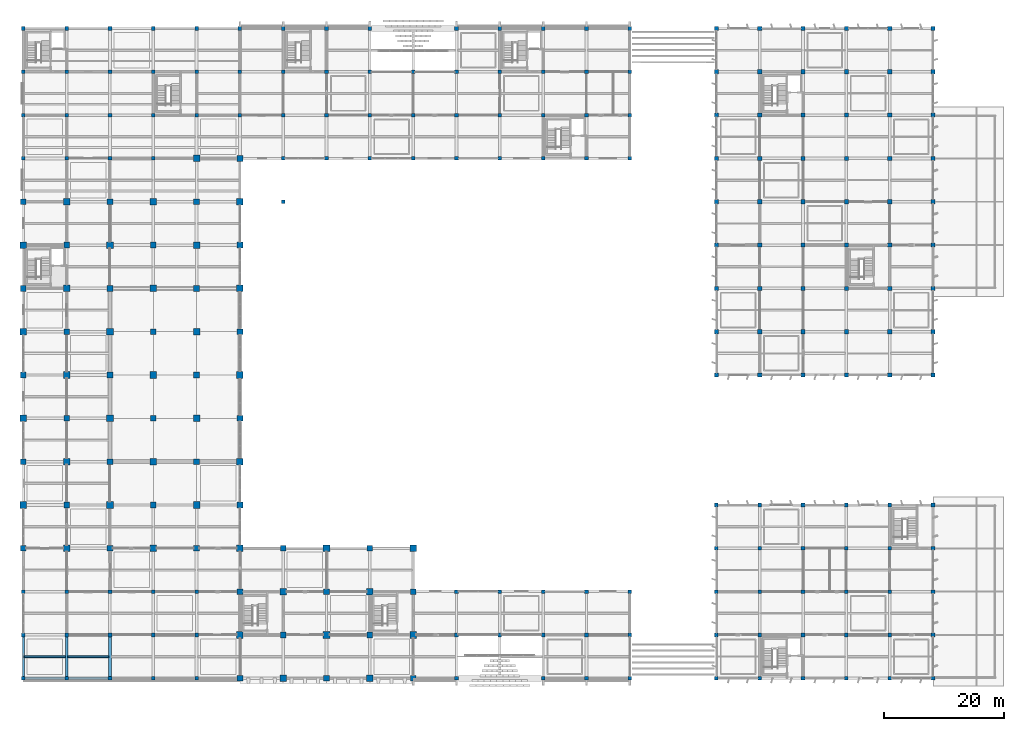
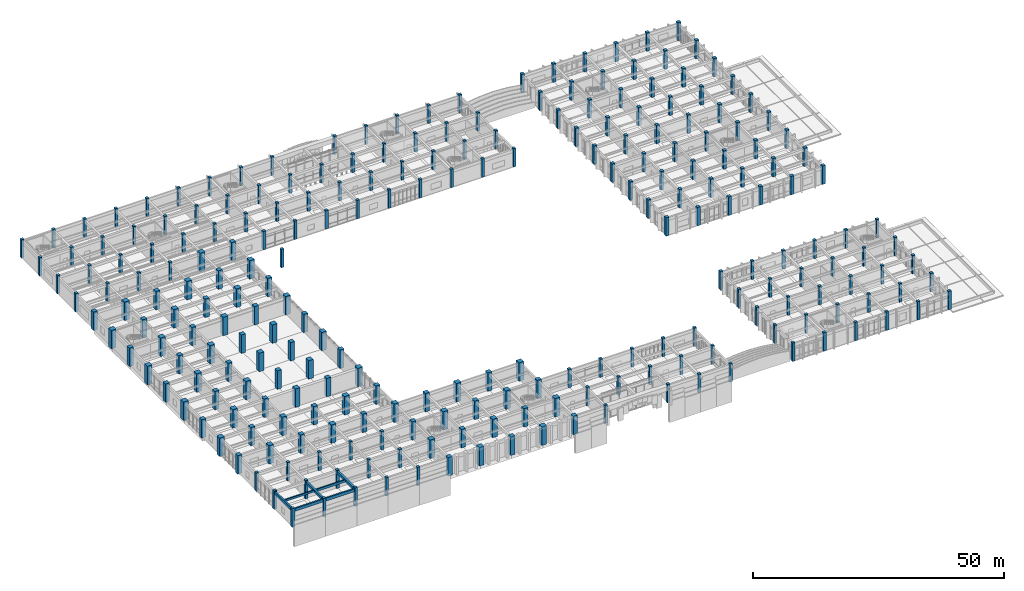
# One storey, part 1 of 81: 246 columns, 7 beams.
"""IFC4 building model written with IfcOpenShell, lengths in metres."""

from ifc_helpers import new_model, si_unit, direction, frame, origin, origin_2d, place, context, subcontext, project, spatial, rectangle, extrude, material, material_profile, profile_set, type_object, element, save


model = new_model("IFC4")

# Units and contexts
model_context = context("Model", 3, precision=1e-05, world=origin(), true_north=direction((0.0, 1.0)))
body_context = subcontext(model_context, "Body", "Model", "MODEL_VIEW")
ifc_project = project(units=[si_unit("LENGTHUNIT", "METRE"), si_unit("AREAUNIT", "SQUARE_METRE"), si_unit("VOLUMEUNIT", "CUBIC_METRE"), si_unit("PLANEANGLEUNIT", "RADIAN"), si_unit("MASSUNIT", "GRAM", prefix="KILO")], contexts=[model_context])

# Site, building, storey
site_placement = place(None, origin())
site = spatial("IfcSite", under=ifc_project, at=site_placement, CompositionType="ELEMENT")
building_placement = place(site_placement, origin())
building = spatial("IfcBuilding", under=site, at=building_placement, Name="Kavelor Marine Aquarium", CompositionType="ELEMENT")
storey_placement = place(building_placement, frame((0.0, 0.0, 4.679931640625)))
storey = spatial("IfcBuildingStorey", under=building, at=storey_placement, Name="L01", CompositionType="ELEMENT", Elevation=4.679931640625)

# Columns
ifc_material_1 = material(Name="Concrete C45/55", Category="concrete")
ifc_material_profile_1 = material_profile(ifc_material_1, rectangle(XDim=1.10009765625, YDim=1.10009765625, at=origin_2d()), Name="RC-COL 1100x1100")
ifc_profile_set_1 = profile_set([ifc_material_profile_1], Name="Concrete C45/55")
column_type_1 = type_object("IfcColumnType", Name="COL-C1", PredefinedType="COLUMN", material=ifc_profile_set_1)
for number, where, z_axis, x_axis, name in (
    (1, (3.199951171875, 31.60009765625, 0.0), (0.0, 0.0, 1.0), (1.0, 0.0, 0.0), "col:L01:00_04"),
    (2, (3.199951171875, 46.0, 0.0), (0.0, 0.0, 1.0), (1.0, 0.0, 0.0), "col:L01:00_06"),
    (3, (3.199951171875, 60.39990234375, 0.0), (0.0, 0.0, 1.0), (1.0, 0.0, 0.0), "col:L01:00_08"),
    (4, (3.199951171875, 74.800048828125, 0.0), (0.0, 0.0, 1.0), (1.0, 0.0, 0.0), "col:L01:00_10"),
    (5, (10.39990234375, 24.39990234375, 0.0), (0.0, 0.0, 1.0), (1.0, 0.0, 0.0), "col:L01:01_03"),
    (6, (10.39990234375, 38.800048828125, 0.0), (0.0, 0.0, 1.0), (1.0, 0.0, 0.0), "col:L01:01_05"),
    (7, (10.39990234375, 53.199951171875, 0.0), (0.0, 0.0, 1.0), (1.0, 0.0, 0.0), "col:L01:01_07"),
    (8, (10.39990234375, 67.60009765625, 0.0), (0.0, 0.0, 1.0), (1.0, 0.0, 0.0), "col:L01:01_09"),
    (9, (10.39990234375, 82.0, 0.0), (0.0, 0.0, 1.0), (1.0, 0.0, 0.0), "col:L01:01_11"),
    (10, (17.60009765625, 31.60009765625, 0.0), (0.0, 0.0, 1.0), (1.0, 0.0, 0.0), "col:L01:02_04"),
    (11, (17.60009765625, 46.0, 0.0), (0.0, 0.0, 1.0), (1.0, 0.0, 0.0), "col:L01:02_06"),
    (12, (17.60009765625, 60.39990234375, 0.0), (0.0, 0.0, 1.0), (1.0, 0.0, 0.0), "col:L01:02_08"),
    (13, (17.60009765625, 74.800048828125, 0.0), (0.0, 0.0, 1.0), (1.0, 0.0, 0.0), "col:L01:02_10"),
    (14, (24.800048828125, 24.39990234375, 0.0), (0.0, 0.0, 1.0), (1.0, 0.0, 0.0), "col:L01:03_03"),
    (15, (24.800048828125, 38.800048828125, 0.0), (0.0, 0.0, 1.0), (1.0, 0.0, 0.0), "col:L01:03_05"),
    (16, (24.800048828125, 53.199951171875, 0.0), (0.0, 0.0, 1.0), (1.0, 0.0, 0.0), "col:L01:03_07"),
    (17, (24.800048828125, 67.60009765625, 0.0), (0.0, 0.0, 1.0), (1.0, 0.0, 0.0), "col:L01:03_09"),
    (18, (24.800048828125, 82.0, 0.0), (0.0, 0.0, 1.0), (1.0, 0.0, 0.0), "col:L01:03_11"),
    (19, (32.0, 31.60009765625, 0.0), (0.0, 0.0, 1.0), (1.0, 0.0, 0.0), "col:L01:04_04"),
    (20, (32.0, 46.0, 0.0), (0.0, 0.0, 1.0), (1.0, 0.0, 0.0), "col:L01:04_06"),
    (21, (32.0, 60.39990234375, 0.0), (0.0, 0.0, 1.0), (1.0, 0.0, 0.0), "col:L01:04_08"),
    (22, (32.0, 74.800048828125, 0.0), (0.0, 0.0, 1.0), (1.0, 0.0, 0.0), "col:L01:04_10"),
    (23, (32.0, 89.199951171875, 0.0), (0.0, 0.0, 1.0), (1.0, 0.0, 0.0), "col:L01:04_12"),
    (24, (39.199951171875, 10.0, 0.0), (0.0, 0.0, 1.0), (1.0, 0.0, 0.0), "col:L01:05_01"),
    (25, (39.199951171875, 24.39990234375, 0.0), (0.0, 0.0, 1.0), (1.0, 0.0, 0.0), "col:L01:05_03"),
    (26, (39.199951171875, 38.800048828125, 0.0), (0.0, 0.0, 1.0), (1.0, 0.0, 0.0), "col:L01:05_05"),
    (27, (39.199951171875, 53.199951171875, 0.0), (0.0, 0.0, 1.0), (1.0, 0.0, 0.0), "col:L01:05_07"),
    (28, (39.199951171875, 67.60009765625, 0.0), (0.0, 0.0, 1.0), (1.0, 0.0, 0.0), "col:L01:05_09"),
    (29, (39.199951171875, 82.0, 0.0), (0.0, 0.0, 1.0), (1.0, 0.0, 0.0), "col:L01:05_11"),
    (30, (46.39990234375, 2.800048828125, 0.0), (0.0, 0.0, 1.0), (1.0, 0.0, 0.0), "col:L01:06_00"),
    (31, (46.39990234375, 17.199951171875, 0.0), (0.0, 0.0, 1.0), (1.0, 0.0, 0.0), "col:L01:06_02"),
    (32, (53.60009765625, 10.0, 0.0), (0.0, 0.0, 1.0), (1.0, 0.0, 0.0), "col:L01:07_01"),
    (33, (53.60009765625, 24.39990234375, 0.0), (0.0, 0.0, 1.0), (1.0, 0.0, 0.0), "col:L01:07_03"),
    (34, (60.800048828125, 2.800048828125, 0.0), (0.0, 0.0, 1.0), (1.0, 0.0, 0.0), "col:L01:08_00"),
    (35, (60.800048828125, 17.199951171875, 0.0), (0.0, 0.0, 1.0), (1.0, 0.0, 0.0), "col:L01:08_02"),
    (36, (68.0, 10.0, 0.0), (0.0, 0.0, 1.0), (1.0, 0.0, 0.0), "col:L01:09_01"),
    (37, (68.0, 24.39990234375, 0.0), (0.0, 0.0, 1.0), (1.0, 0.0, 0.0), "col:L01:09_03"),
):
    element("IfcColumn", number, at=place(storey_placement, frame(where, z_axis=z_axis, x_axis=x_axis)), inside=storey, type_object=column_type_1, Name=name, PredefinedType="COLUMN", context=body_context, shape_type="SweptSolid", body=[
        extrude(rectangle(XDim=1.10009765625, YDim=1.10009765625, at=origin_2d()), origin(), (0.0, 0.0, 1.0), 4.5),
    ])
ifc_material_2 = material(Name="Concrete C45/55", Category="concrete")
ifc_material_profile_2 = material_profile(ifc_material_2, rectangle(XDim=0.949951171875, YDim=0.949951171875, at=origin_2d()), Name="RC-COL 950x950")
ifc_profile_set_2 = profile_set([ifc_material_profile_2], Name="Concrete C45/55")
column_type_2 = type_object("IfcColumnType", Name="COL-C2", PredefinedType="COLUMN", material=ifc_profile_set_2)
for number, where, z_axis, x_axis, name in (
    (38, (3.199951171875, 24.39990234375, 0.0), (0.0, 0.0, 1.0), (1.0, 0.0, 0.0), "col:L01:00_03"),
    (39, (3.199951171875, 38.800048828125, 0.0), (0.0, 0.0, 1.0), (1.0, 0.0, 0.0), "col:L01:00_05"),
    (40, (3.199951171875, 53.199951171875, 0.0), (0.0, 0.0, 1.0), (1.0, 0.0, 0.0), "col:L01:00_07"),
    (41, (3.199951171875, 67.60009765625, 0.0), (0.0, 0.0, 1.0), (1.0, 0.0, 0.0), "col:L01:00_09"),
    (42, (3.199951171875, 82.0, 0.0), (0.0, 0.0, 1.0), (1.0, 0.0, 0.0), "col:L01:00_11"),
    (43, (10.39990234375, 31.60009765625, 0.0), (0.0, 0.0, 1.0), (1.0, 0.0, 0.0), "col:L01:01_04"),
    (44, (10.39990234375, 46.0, 0.0), (0.0, 0.0, 1.0), (1.0, 0.0, 0.0), "col:L01:01_06"),
    (45, (10.39990234375, 60.39990234375, 0.0), (0.0, 0.0, 1.0), (1.0, 0.0, 0.0), "col:L01:01_08"),
    (46, (10.39990234375, 74.800048828125, 0.0), (0.0, 0.0, 1.0), (1.0, 0.0, 0.0), "col:L01:01_10"),
    (47, (17.60009765625, 24.39990234375, 0.0), (0.0, 0.0, 1.0), (1.0, 0.0, 0.0), "col:L01:02_03"),
    (48, (17.60009765625, 38.800048828125, 0.0), (0.0, 0.0, 1.0), (1.0, 0.0, 0.0), "col:L01:02_05"),
    (49, (17.60009765625, 53.199951171875, 0.0), (0.0, 0.0, 1.0), (1.0, 0.0, 0.0), "col:L01:02_07"),
    (50, (17.60009765625, 67.60009765625, 0.0), (0.0, 0.0, 1.0), (1.0, 0.0, 0.0), "col:L01:02_09"),
    (51, (17.60009765625, 82.0, 0.0), (0.0, 0.0, 1.0), (1.0, 0.0, 0.0), "col:L01:02_11"),
    (52, (24.800048828125, 31.60009765625, 0.0), (0.0, 0.0, 1.0), (1.0, 0.0, 0.0), "col:L01:03_04"),
    (53, (24.800048828125, 46.0, 0.0), (0.0, 0.0, 1.0), (1.0, 0.0, 0.0), "col:L01:03_06"),
    (54, (24.800048828125, 60.39990234375, 0.0), (0.0, 0.0, 1.0), (1.0, 0.0, 0.0), "col:L01:03_08"),
    (55, (24.800048828125, 74.800048828125, 0.0), (0.0, 0.0, 1.0), (1.0, 0.0, 0.0), "col:L01:03_10"),
    (56, (32.0, 24.39990234375, 0.0), (0.0, 0.0, 1.0), (1.0, 0.0, 0.0), "col:L01:04_03"),
    (57, (32.0, 38.800048828125, 0.0), (0.0, 0.0, 1.0), (1.0, 0.0, 0.0), "col:L01:04_05"),
    (58, (32.0, 53.199951171875, 0.0), (0.0, 0.0, 1.0), (1.0, 0.0, 0.0), "col:L01:04_07"),
    (59, (32.0, 67.60009765625, 0.0), (0.0, 0.0, 1.0), (1.0, 0.0, 0.0), "col:L01:04_09"),
    (60, (32.0, 82.0, 0.0), (0.0, 0.0, 1.0), (1.0, 0.0, 0.0), "col:L01:04_11"),
    (61, (39.199951171875, 2.800048828125, 0.0), (0.0, 0.0, 1.0), (1.0, 0.0, 0.0), "col:L01:05_00"),
    (62, (39.199951171875, 17.199951171875, 0.0), (0.0, 0.0, 1.0), (1.0, 0.0, 0.0), "col:L01:05_02"),
    (63, (39.199951171875, 31.60009765625, 0.0), (0.0, 0.0, 1.0), (1.0, 0.0, 0.0), "col:L01:05_04"),
    (64, (39.199951171875, 46.0, 0.0), (0.0, 0.0, 1.0), (1.0, 0.0, 0.0), "col:L01:05_06"),
    (65, (39.199951171875, 60.39990234375, 0.0), (0.0, 0.0, 1.0), (1.0, 0.0, 0.0), "col:L01:05_08"),
    (66, (39.199951171875, 74.800048828125, 0.0), (0.0, 0.0, 1.0), (1.0, 0.0, 0.0), "col:L01:05_10"),
    (67, (39.199951171875, 89.199951171875, 0.0), (0.0, 0.0, 1.0), (1.0, 0.0, 0.0), "col:L01:05_12"),
    (68, (46.39990234375, 10.0, 0.0), (0.0, 0.0, 1.0), (1.0, 0.0, 0.0), "col:L01:06_01"),
    (69, (46.39990234375, 24.39990234375, 0.0), (0.0, 0.0, 1.0), (1.0, 0.0, 0.0), "col:L01:06_03"),
    (70, (53.60009765625, 2.800048828125, 0.0), (0.0, 0.0, 1.0), (1.0, 0.0, 0.0), "col:L01:07_00"),
    (71, (53.60009765625, 17.199951171875, 0.0), (0.0, 0.0, 1.0), (1.0, 0.0, 0.0), "col:L01:07_02"),
    (72, (60.800048828125, 10.0, 0.0), (0.0, 0.0, 1.0), (1.0, 0.0, 0.0), "col:L01:08_01"),
    (73, (60.800048828125, 24.39990234375, 0.0), (0.0, 0.0, 1.0), (1.0, 0.0, 0.0), "col:L01:08_03"),
    (74, (68.0, 2.800048828125, 0.0), (0.0, 0.0, 1.0), (1.0, 0.0, 0.0), "col:L01:09_00"),
    (75, (68.0, 17.199951171875, 0.0), (0.0, 0.0, 1.0), (1.0, 0.0, 0.0), "col:L01:09_02"),
):
    element("IfcColumn", number, at=place(storey_placement, frame(where, z_axis=z_axis, x_axis=x_axis)), inside=storey, type_object=column_type_2, Name=name, PredefinedType="COLUMN", context=body_context, shape_type="SweptSolid", body=[
        extrude(rectangle(XDim=0.949951171875, YDim=0.949951171875, at=origin_2d()), origin(), (0.0, 0.0, 1.0), 4.5),
    ])
ifc_material_3 = material(Name="Concrete C40/50", Category="concrete")
ifc_material_profile_3 = material_profile(ifc_material_3, rectangle(XDim=0.699951171875, YDim=0.699951171875, at=origin_2d()), Name="RC-COL 700x700")
ifc_profile_set_3 = profile_set([ifc_material_profile_3], Name="Concrete C40/50")
column_type_3 = type_object("IfcColumnType", Name="COL-C4", PredefinedType="COLUMN", material=ifc_profile_set_3)
for number, where, z_axis, x_axis, name in (
    (76, (118.39990234375, 53.199951171875, 0.0), (0.0, 0.0, 1.0), (1.0, 0.0, 0.0), "col:L01:16_07"),
    (77, (118.39990234375, 60.39990234375, 0.0), (0.0, 0.0, 1.0), (1.0, 0.0, 0.0), "col:L01:16_08"),
    (78, (118.39990234375, 67.60009765625, 0.0), (0.0, 0.0, 1.0), (1.0, 0.0, 0.0), "col:L01:16_09"),
    (79, (118.39990234375, 74.800048828125, 0.0), (0.0, 0.0, 1.0), (1.0, 0.0, 0.0), "col:L01:16_10"),
    (80, (118.39990234375, 82.0, 0.0), (0.0, 0.0, 1.0), (1.0, 0.0, 0.0), "col:L01:16_11"),
    (81, (118.39990234375, 89.199951171875, 0.0), (0.0, 0.0, 1.0), (1.0, 0.0, 0.0), "col:L01:16_12"),
    (82, (118.39990234375, 96.39990234375, 0.0), (0.0, 0.0, 1.0), (1.0, 0.0, 0.0), "col:L01:16_13"),
    (83, (118.39990234375, 103.60009765625, 0.0), (0.0, 0.0, 1.0), (1.0, 0.0, 0.0), "col:L01:16_14"),
    (84, (118.39990234375, 110.800048828125, 0.0), (0.0, 0.0, 1.0), (1.0, 0.0, 0.0), "col:L01:16_15"),
    (85, (125.60009765625, 53.199951171875, 0.0), (0.0, 0.0, 1.0), (1.0, 0.0, 0.0), "col:L01:17_07"),
    (86, (125.60009765625, 60.39990234375, 0.0), (0.0, 0.0, 1.0), (1.0, 0.0, 0.0), "col:L01:17_08"),
    (87, (125.60009765625, 67.60009765625, 0.0), (0.0, 0.0, 1.0), (1.0, 0.0, 0.0), "col:L01:17_09"),
    (88, (125.60009765625, 74.800048828125, 0.0), (0.0, 0.0, 1.0), (1.0, 0.0, 0.0), "col:L01:17_10"),
    (89, (125.60009765625, 82.0, 0.0), (0.0, 0.0, 1.0), (1.0, 0.0, 0.0), "col:L01:17_11"),
    (90, (125.60009765625, 89.199951171875, 0.0), (0.0, 0.0, 1.0), (1.0, 0.0, 0.0), "col:L01:17_12"),
    (91, (125.60009765625, 96.39990234375, 0.0), (0.0, 0.0, 1.0), (1.0, 0.0, 0.0), "col:L01:17_13"),
    (92, (125.60009765625, 103.60009765625, 0.0), (0.0, 0.0, 1.0), (1.0, 0.0, 0.0), "col:L01:17_14"),
    (93, (125.60009765625, 110.800048828125, 0.0), (0.0, 0.0, 1.0), (1.0, 0.0, 0.0), "col:L01:17_15"),
    (94, (132.800048828125, 53.199951171875, 0.0), (0.0, 0.0, 1.0), (1.0, 0.0, 0.0), "col:L01:18_07"),
    (95, (132.800048828125, 60.39990234375, 0.0), (0.0, 0.0, 1.0), (1.0, 0.0, 0.0), "col:L01:18_08"),
    (96, (132.800048828125, 67.60009765625, 0.0), (0.0, 0.0, 1.0), (1.0, 0.0, 0.0), "col:L01:18_09"),
    (97, (132.800048828125, 74.800048828125, 0.0), (0.0, 0.0, 1.0), (1.0, 0.0, 0.0), "col:L01:18_10"),
    (98, (132.800048828125, 82.0, 0.0), (0.0, 0.0, 1.0), (1.0, 0.0, 0.0), "col:L01:18_11"),
    (99, (132.800048828125, 89.199951171875, 0.0), (0.0, 0.0, 1.0), (1.0, 0.0, 0.0), "col:L01:18_12"),
    (100, (132.800048828125, 96.39990234375, 0.0), (0.0, 0.0, 1.0), (1.0, 0.0, 0.0), "col:L01:18_13"),
    (101, (132.800048828125, 103.60009765625, 0.0), (0.0, 0.0, 1.0), (1.0, 0.0, 0.0), "col:L01:18_14"),
    (102, (132.800048828125, 110.800048828125, 0.0), (0.0, 0.0, 1.0), (1.0, 0.0, 0.0), "col:L01:18_15"),
    (103, (140.0, 53.199951171875, 0.0), (0.0, 0.0, 1.0), (1.0, 0.0, 0.0), "col:L01:19_07"),
    (104, (140.0, 60.39990234375, 0.0), (0.0, 0.0, 1.0), (1.0, 0.0, 0.0), "col:L01:19_08"),
    (105, (140.0, 67.60009765625, 0.0), (0.0, 0.0, 1.0), (1.0, 0.0, 0.0), "col:L01:19_09"),
    (106, (140.0, 74.800048828125, 0.0), (0.0, 0.0, 1.0), (1.0, 0.0, 0.0), "col:L01:19_10"),
    (107, (140.0, 82.0, 0.0), (0.0, 0.0, 1.0), (1.0, 0.0, 0.0), "col:L01:19_11"),
    (108, (140.0, 89.199951171875, 0.0), (0.0, 0.0, 1.0), (1.0, 0.0, 0.0), "col:L01:19_12"),
    (109, (140.0, 96.39990234375, 0.0), (0.0, 0.0, 1.0), (1.0, 0.0, 0.0), "col:L01:19_13"),
    (110, (140.0, 103.60009765625, 0.0), (0.0, 0.0, 1.0), (1.0, 0.0, 0.0), "col:L01:19_14"),
    (111, (140.0, 110.800048828125, 0.0), (0.0, 0.0, 1.0), (1.0, 0.0, 0.0), "col:L01:19_15"),
    (112, (147.199951171875, 53.199951171875, 0.0), (0.0, 0.0, 1.0), (1.0, 0.0, 0.0), "col:L01:20_07"),
    (113, (147.199951171875, 60.39990234375, 0.0), (0.0, 0.0, 1.0), (1.0, 0.0, 0.0), "col:L01:20_08"),
    (114, (147.199951171875, 67.60009765625, 0.0), (0.0, 0.0, 1.0), (1.0, 0.0, 0.0), "col:L01:20_09"),
    (115, (147.199951171875, 74.800048828125, 0.0), (0.0, 0.0, 1.0), (1.0, 0.0, 0.0), "col:L01:20_10"),
    (116, (147.199951171875, 82.0, 0.0), (0.0, 0.0, 1.0), (1.0, 0.0, 0.0), "col:L01:20_11"),
    (117, (147.199951171875, 89.199951171875, 0.0), (0.0, 0.0, 1.0), (1.0, 0.0, 0.0), "col:L01:20_12"),
    (118, (147.199951171875, 96.39990234375, 0.0), (0.0, 0.0, 1.0), (1.0, 0.0, 0.0), "col:L01:20_13"),
    (119, (147.199951171875, 103.60009765625, 0.0), (0.0, 0.0, 1.0), (1.0, 0.0, 0.0), "col:L01:20_14"),
    (120, (147.199951171875, 110.800048828125, 0.0), (0.0, 0.0, 1.0), (1.0, 0.0, 0.0), "col:L01:20_15"),
    (121, (154.39990234375, 53.199951171875, 0.0), (0.0, 0.0, 1.0), (1.0, 0.0, 0.0), "col:L01:21_07"),
    (122, (154.39990234375, 60.39990234375, 0.0), (0.0, 0.0, 1.0), (1.0, 0.0, 0.0), "col:L01:21_08"),
    (123, (154.39990234375, 67.60009765625, 0.0), (0.0, 0.0, 1.0), (1.0, 0.0, 0.0), "col:L01:21_09"),
    (124, (154.39990234375, 74.800048828125, 0.0), (0.0, 0.0, 1.0), (1.0, 0.0, 0.0), "col:L01:21_10"),
    (125, (154.39990234375, 82.0, 0.0), (0.0, 0.0, 1.0), (1.0, 0.0, 0.0), "col:L01:21_11"),
    (126, (154.39990234375, 89.199951171875, 0.0), (0.0, 0.0, 1.0), (1.0, 0.0, 0.0), "col:L01:21_12"),
    (127, (154.39990234375, 96.39990234375, 0.0), (0.0, 0.0, 1.0), (1.0, 0.0, 0.0), "col:L01:21_13"),
    (128, (154.39990234375, 103.60009765625, 0.0), (0.0, 0.0, 1.0), (1.0, 0.0, 0.0), "col:L01:21_14"),
    (129, (154.39990234375, 110.800048828125, 0.0), (0.0, 0.0, 1.0), (1.0, 0.0, 0.0), "col:L01:21_15"),
):
    element("IfcColumn", number, at=place(storey_placement, frame(where, z_axis=z_axis, x_axis=x_axis)), inside=storey, type_object=column_type_3, Name=name, PredefinedType="COLUMN", context=body_context, shape_type="SweptSolid", body=[
        extrude(rectangle(XDim=0.699951171875, YDim=0.699951171875, at=origin_2d()), origin(), (0.0, 0.0, 1.0), 4.5),
    ])
ifc_material_4 = material(Name="Concrete C40/50", Category="concrete")
ifc_material_profile_4 = material_profile(ifc_material_4, rectangle(XDim=0.60009765625, YDim=0.60009765625, at=origin_2d()), Name="RC-COL 600x600")
ifc_profile_set_4 = profile_set([ifc_material_profile_4], Name="Concrete C40/50")
column_type_4 = type_object("IfcColumnType", Name="COL-C5", PredefinedType="COLUMN", material=ifc_profile_set_4)
for number, where, z_axis, x_axis, name in (
    (130, (3.199951171875, 2.800048828125, 0.0), (0.0, 0.0, 1.0), (1.0, 0.0, 0.0), "col:L01:00_00"),
    (131, (3.199951171875, 10.0, 0.0), (0.0, 0.0, 1.0), (1.0, 0.0, 0.0), "col:L01:00_01"),
    (132, (3.199951171875, 17.199951171875, 0.0), (0.0, 0.0, 1.0), (1.0, 0.0, 0.0), "col:L01:00_02"),
    (133, (3.199951171875, 89.199951171875, 0.0), (0.0, 0.0, 1.0), (1.0, 0.0, 0.0), "col:L01:00_12"),
    (134, (3.199951171875, 96.39990234375, 0.0), (0.0, 0.0, 1.0), (1.0, 0.0, 0.0), "col:L01:00_13"),
    (135, (3.199951171875, 103.60009765625, 0.0), (0.0, 0.0, 1.0), (1.0, 0.0, 0.0), "col:L01:00_14"),
    (136, (3.199951171875, 110.800048828125, 0.0), (0.0, 0.0, 1.0), (1.0, 0.0, 0.0), "col:L01:00_15"),
    (137, (10.39990234375, 2.800048828125, 0.0), (0.0, 0.0, 1.0), (1.0, 0.0, 0.0), "col:L01:01_00"),
    (138, (10.39990234375, 10.0, 0.0), (0.0, 0.0, 1.0), (1.0, 0.0, 0.0), "col:L01:01_01"),
    (139, (10.39990234375, 17.199951171875, 0.0), (0.0, 0.0, 1.0), (1.0, 0.0, 0.0), "col:L01:01_02"),
    (140, (10.39990234375, 89.199951171875, 0.0), (0.0, 0.0, 1.0), (1.0, 0.0, 0.0), "col:L01:01_12"),
    (141, (10.39990234375, 96.39990234375, 0.0), (0.0, 0.0, 1.0), (1.0, 0.0, 0.0), "col:L01:01_13"),
    (142, (10.39990234375, 103.60009765625, 0.0), (0.0, 0.0, 1.0), (1.0, 0.0, 0.0), "col:L01:01_14"),
    (143, (10.39990234375, 110.800048828125, 0.0), (0.0, 0.0, 1.0), (1.0, 0.0, 0.0), "col:L01:01_15"),
    (144, (17.60009765625, 2.800048828125, 0.0), (0.0, 0.0, 1.0), (1.0, 0.0, 0.0), "col:L01:02_00"),
    (145, (17.60009765625, 10.0, 0.0), (0.0, 0.0, 1.0), (1.0, 0.0, 0.0), "col:L01:02_01"),
    (146, (17.60009765625, 17.199951171875, 0.0), (0.0, 0.0, 1.0), (1.0, 0.0, 0.0), "col:L01:02_02"),
    (147, (17.60009765625, 89.199951171875, 0.0), (0.0, 0.0, 1.0), (1.0, 0.0, 0.0), "col:L01:02_12"),
    (148, (17.60009765625, 96.39990234375, 0.0), (0.0, 0.0, 1.0), (1.0, 0.0, 0.0), "col:L01:02_13"),
    (149, (17.60009765625, 103.60009765625, 0.0), (0.0, 0.0, 1.0), (1.0, 0.0, 0.0), "col:L01:02_14"),
    (150, (17.60009765625, 110.800048828125, 0.0), (0.0, 0.0, 1.0), (1.0, 0.0, 0.0), "col:L01:02_15"),
    (151, (24.800048828125, 2.800048828125, 0.0), (0.0, 0.0, 1.0), (1.0, 0.0, 0.0), "col:L01:03_00"),
    (152, (24.800048828125, 10.0, 0.0), (0.0, 0.0, 1.0), (1.0, 0.0, 0.0), "col:L01:03_01"),
    (153, (24.800048828125, 17.199951171875, 0.0), (0.0, 0.0, 1.0), (1.0, 0.0, 0.0), "col:L01:03_02"),
    (154, (24.800048828125, 89.199951171875, 0.0), (0.0, 0.0, 1.0), (1.0, 0.0, 0.0), "col:L01:03_12"),
    (155, (24.800048828125, 96.39990234375, 0.0), (0.0, 0.0, 1.0), (1.0, 0.0, 0.0), "col:L01:03_13"),
    (156, (24.800048828125, 103.60009765625, 0.0), (0.0, 0.0, 1.0), (1.0, 0.0, 0.0), "col:L01:03_14"),
    (157, (24.800048828125, 110.800048828125, 0.0), (0.0, 0.0, 1.0), (1.0, 0.0, 0.0), "col:L01:03_15"),
    (158, (32.0, 2.800048828125, 0.0), (0.0, 0.0, 1.0), (1.0, 0.0, 0.0), "col:L01:04_00"),
    (159, (32.0, 10.0, 0.0), (0.0, 0.0, 1.0), (1.0, 0.0, 0.0), "col:L01:04_01"),
    (160, (32.0, 17.199951171875, 0.0), (0.0, 0.0, 1.0), (1.0, 0.0, 0.0), "col:L01:04_02"),
    (161, (32.0, 96.39990234375, 0.0), (0.0, 0.0, 1.0), (1.0, 0.0, 0.0), "col:L01:04_13"),
    (162, (32.0, 103.60009765625, 0.0), (0.0, 0.0, 1.0), (1.0, 0.0, 0.0), "col:L01:04_14"),
    (163, (32.0, 110.800048828125, 0.0), (0.0, 0.0, 1.0), (1.0, 0.0, 0.0), "col:L01:04_15"),
    (164, (39.199951171875, 96.39990234375, 0.0), (0.0, 0.0, 1.0), (1.0, 0.0, 0.0), "col:L01:05_13"),
    (165, (39.199951171875, 103.60009765625, 0.0), (0.0, 0.0, 1.0), (1.0, 0.0, 0.0), "col:L01:05_14"),
    (166, (39.199951171875, 110.800048828125, 0.0), (0.0, 0.0, 1.0), (1.0, 0.0, 0.0), "col:L01:05_15"),
    (167, (46.39990234375, 82.0, 0.0), (0.0, 0.0, 1.0), (1.0, 0.0, 0.0), "col:L01:06_11"),
    (168, (46.39990234375, 89.199951171875, 0.0), (0.0, 0.0, 1.0), (1.0, 0.0, 0.0), "col:L01:06_12"),
    (169, (46.39990234375, 96.39990234375, 0.0), (0.0, 0.0, 1.0), (1.0, 0.0, 0.0), "col:L01:06_13"),
    (170, (46.39990234375, 103.60009765625, 0.0), (0.0, 0.0, 1.0), (1.0, 0.0, 0.0), "col:L01:06_14"),
    (171, (46.39990234375, 110.800048828125, 0.0), (0.0, 0.0, 1.0), (1.0, 0.0, 0.0), "col:L01:06_15"),
    (172, (53.60009765625, 89.199951171875, 0.0), (0.0, 0.0, 1.0), (1.0, 0.0, 0.0), "col:L01:07_12"),
    (173, (53.60009765625, 96.39990234375, 0.0), (0.0, 0.0, 1.0), (1.0, 0.0, 0.0), "col:L01:07_13"),
    (174, (53.60009765625, 103.60009765625, 0.0), (0.0, 0.0, 1.0), (1.0, 0.0, 0.0), "col:L01:07_14"),
    (175, (53.60009765625, 110.800048828125, 0.0), (0.0, 0.0, 1.0), (1.0, 0.0, 0.0), "col:L01:07_15"),
    (176, (60.800048828125, 89.199951171875, 0.0), (0.0, 0.0, 1.0), (1.0, 0.0, 0.0), "col:L01:08_12"),
    (177, (60.800048828125, 96.39990234375, 0.0), (0.0, 0.0, 1.0), (1.0, 0.0, 0.0), "col:L01:08_13"),
    (178, (60.800048828125, 103.60009765625, 0.0), (0.0, 0.0, 1.0), (1.0, 0.0, 0.0), "col:L01:08_14"),
    (179, (60.800048828125, 110.800048828125, 0.0), (0.0, 0.0, 1.0), (1.0, 0.0, 0.0), "col:L01:08_15"),
    (180, (68.0, 89.199951171875, 0.0), (0.0, 0.0, 1.0), (1.0, 0.0, 0.0), "col:L01:09_12"),
    (181, (68.0, 96.39990234375, 0.0), (0.0, 0.0, 1.0), (1.0, 0.0, 0.0), "col:L01:09_13"),
    (182, (68.0, 103.60009765625, 0.0), (0.0, 0.0, 1.0), (1.0, 0.0, 0.0), "col:L01:09_14"),
    (183, (75.199951171875, 2.800048828125, 0.0), (0.0, 0.0, 1.0), (1.0, 0.0, 0.0), "col:L01:10_00"),
    (184, (75.199951171875, 10.0, 0.0), (0.0, 0.0, 1.0), (1.0, 0.0, 0.0), "col:L01:10_01"),
    (185, (75.199951171875, 17.199951171875, 0.0), (0.0, 0.0, 1.0), (1.0, 0.0, 0.0), "col:L01:10_02"),
    (186, (75.199951171875, 89.199951171875, 0.0), (0.0, 0.0, 1.0), (1.0, 0.0, 0.0), "col:L01:10_12"),
    (187, (75.199951171875, 96.39990234375, 0.0), (0.0, 0.0, 1.0), (1.0, 0.0, 0.0), "col:L01:10_13"),
    (188, (75.199951171875, 103.60009765625, 0.0), (0.0, 0.0, 1.0), (1.0, 0.0, 0.0), "col:L01:10_14"),
    (189, (75.199951171875, 110.800048828125, 0.0), (0.0, 0.0, 1.0), (1.0, 0.0, 0.0), "col:L01:10_15"),
    (190, (82.39990234375, 10.0, 0.0), (0.0, 0.0, 1.0), (1.0, 0.0, 0.0), "col:L01:11_01"),
    (191, (82.39990234375, 17.199951171875, 0.0), (0.0, 0.0, 1.0), (1.0, 0.0, 0.0), "col:L01:11_02"),
    (192, (82.39990234375, 89.199951171875, 0.0), (0.0, 0.0, 1.0), (1.0, 0.0, 0.0), "col:L01:11_12"),
    (193, (82.39990234375, 96.39990234375, 0.0), (0.0, 0.0, 1.0), (1.0, 0.0, 0.0), "col:L01:11_13"),
    (194, (82.39990234375, 103.60009765625, 0.0), (0.0, 0.0, 1.0), (1.0, 0.0, 0.0), "col:L01:11_14"),
    (195, (82.39990234375, 110.800048828125, 0.0), (0.0, 0.0, 1.0), (1.0, 0.0, 0.0), "col:L01:11_15"),
    (196, (89.60009765625, 2.800048828125, 0.0), (0.0, 0.0, 1.0), (1.0, 0.0, 0.0), "col:L01:12_00"),
    (197, (89.60009765625, 10.0, 0.0), (0.0, 0.0, 1.0), (1.0, 0.0, 0.0), "col:L01:12_01"),
    (198, (89.60009765625, 17.199951171875, 0.0), (0.0, 0.0, 1.0), (1.0, 0.0, 0.0), "col:L01:12_02"),
    (199, (89.60009765625, 89.199951171875, 0.0), (0.0, 0.0, 1.0), (1.0, 0.0, 0.0), "col:L01:12_12"),
    (200, (89.60009765625, 96.39990234375, 0.0), (0.0, 0.0, 1.0), (1.0, 0.0, 0.0), "col:L01:12_13"),
    (201, (89.60009765625, 103.60009765625, 0.0), (0.0, 0.0, 1.0), (1.0, 0.0, 0.0), "col:L01:12_14"),
    (202, (89.60009765625, 110.800048828125, 0.0), (0.0, 0.0, 1.0), (1.0, 0.0, 0.0), "col:L01:12_15"),
    (203, (96.800048828125, 2.800048828125, 0.0), (0.0, 0.0, 1.0), (1.0, 0.0, 0.0), "col:L01:13_00"),
    (204, (96.800048828125, 10.0, 0.0), (0.0, 0.0, 1.0), (1.0, 0.0, 0.0), "col:L01:13_01"),
    (205, (96.800048828125, 17.199951171875, 0.0), (0.0, 0.0, 1.0), (1.0, 0.0, 0.0), "col:L01:13_02"),
    (206, (96.800048828125, 89.199951171875, 0.0), (0.0, 0.0, 1.0), (1.0, 0.0, 0.0), "col:L01:13_12"),
    (207, (96.800048828125, 96.39990234375, 0.0), (0.0, 0.0, 1.0), (1.0, 0.0, 0.0), "col:L01:13_13"),
    (208, (96.800048828125, 103.60009765625, 0.0), (0.0, 0.0, 1.0), (1.0, 0.0, 0.0), "col:L01:13_14"),
    (209, (96.800048828125, 110.800048828125, 0.0), (0.0, 0.0, 1.0), (1.0, 0.0, 0.0), "col:L01:13_15"),
    (210, (104.0, 2.800048828125, 0.0), (0.0, 0.0, 1.0), (1.0, 0.0, 0.0), "col:L01:14_00"),
    (211, (104.0, 10.0, 0.0), (0.0, 0.0, 1.0), (1.0, 0.0, 0.0), "col:L01:14_01"),
    (212, (104.0, 17.199951171875, 0.0), (0.0, 0.0, 1.0), (1.0, 0.0, 0.0), "col:L01:14_02"),
    (213, (104.0, 89.199951171875, 0.0), (0.0, 0.0, 1.0), (1.0, 0.0, 0.0), "col:L01:14_12"),
    (214, (104.0, 96.39990234375, 0.0), (0.0, 0.0, 1.0), (1.0, 0.0, 0.0), "col:L01:14_13"),
    (215, (104.0, 103.60009765625, 0.0), (0.0, 0.0, 1.0), (1.0, 0.0, 0.0), "col:L01:14_14"),
    (216, (104.0, 110.800048828125, 0.0), (0.0, 0.0, 1.0), (1.0, 0.0, 0.0), "col:L01:14_15"),
    (217, (118.39990234375, 2.800048828125, 0.0), (0.0, 0.0, 1.0), (1.0, 0.0, 0.0), "col:L01:16_00"),
    (218, (118.39990234375, 10.0, 0.0), (0.0, 0.0, 1.0), (1.0, 0.0, 0.0), "col:L01:16_01"),
    (219, (118.39990234375, 17.199951171875, 0.0), (0.0, 0.0, 1.0), (1.0, 0.0, 0.0), "col:L01:16_02"),
    (220, (118.39990234375, 24.39990234375, 0.0), (0.0, 0.0, 1.0), (1.0, 0.0, 0.0), "col:L01:16_03"),
    (221, (118.39990234375, 31.60009765625, 0.0), (0.0, 0.0, 1.0), (1.0, 0.0, 0.0), "col:L01:16_04"),
    (222, (125.60009765625, 2.800048828125, 0.0), (0.0, 0.0, 1.0), (1.0, 0.0, 0.0), "col:L01:17_00"),
    (223, (125.60009765625, 10.0, 0.0), (0.0, 0.0, 1.0), (1.0, 0.0, 0.0), "col:L01:17_01"),
    (224, (125.60009765625, 17.199951171875, 0.0), (0.0, 0.0, 1.0), (1.0, 0.0, 0.0), "col:L01:17_02"),
    (225, (125.60009765625, 24.39990234375, 0.0), (0.0, 0.0, 1.0), (1.0, 0.0, 0.0), "col:L01:17_03"),
    (226, (125.60009765625, 31.60009765625, 0.0), (0.0, 0.0, 1.0), (1.0, 0.0, 0.0), "col:L01:17_04"),
    (227, (132.800048828125, 2.800048828125, 0.0), (0.0, 0.0, 1.0), (1.0, 0.0, 0.0), "col:L01:18_00"),
    (228, (132.800048828125, 10.0, 0.0), (0.0, 0.0, 1.0), (1.0, 0.0, 0.0), "col:L01:18_01"),
    (229, (132.800048828125, 17.199951171875, 0.0), (0.0, 0.0, 1.0), (1.0, 0.0, 0.0), "col:L01:18_02"),
    (230, (132.800048828125, 24.39990234375, 0.0), (0.0, 0.0, 1.0), (1.0, 0.0, 0.0), "col:L01:18_03"),
    (231, (132.800048828125, 31.60009765625, 0.0), (0.0, 0.0, 1.0), (1.0, 0.0, 0.0), "col:L01:18_04"),
    (232, (140.0, 2.800048828125, 0.0), (0.0, 0.0, 1.0), (1.0, 0.0, 0.0), "col:L01:19_00"),
    (233, (140.0, 10.0, 0.0), (0.0, 0.0, 1.0), (1.0, 0.0, 0.0), "col:L01:19_01"),
    (234, (140.0, 17.199951171875, 0.0), (0.0, 0.0, 1.0), (1.0, 0.0, 0.0), "col:L01:19_02"),
    (235, (140.0, 24.39990234375, 0.0), (0.0, 0.0, 1.0), (1.0, 0.0, 0.0), "col:L01:19_03"),
    (236, (140.0, 31.60009765625, 0.0), (0.0, 0.0, 1.0), (1.0, 0.0, 0.0), "col:L01:19_04"),
    (237, (147.199951171875, 2.800048828125, 0.0), (0.0, 0.0, 1.0), (1.0, 0.0, 0.0), "col:L01:20_00"),
    (238, (147.199951171875, 10.0, 0.0), (0.0, 0.0, 1.0), (1.0, 0.0, 0.0), "col:L01:20_01"),
    (239, (147.199951171875, 17.199951171875, 0.0), (0.0, 0.0, 1.0), (1.0, 0.0, 0.0), "col:L01:20_02"),
    (240, (147.199951171875, 24.39990234375, 0.0), (0.0, 0.0, 1.0), (1.0, 0.0, 0.0), "col:L01:20_03"),
    (241, (147.199951171875, 31.60009765625, 0.0), (0.0, 0.0, 1.0), (1.0, 0.0, 0.0), "col:L01:20_04"),
    (242, (154.39990234375, 2.800048828125, 0.0), (0.0, 0.0, 1.0), (1.0, 0.0, 0.0), "col:L01:21_00"),
    (243, (154.39990234375, 10.0, 0.0), (0.0, 0.0, 1.0), (1.0, 0.0, 0.0), "col:L01:21_01"),
    (244, (154.39990234375, 17.199951171875, 0.0), (0.0, 0.0, 1.0), (1.0, 0.0, 0.0), "col:L01:21_02"),
    (245, (154.39990234375, 24.39990234375, 0.0), (0.0, 0.0, 1.0), (1.0, 0.0, 0.0), "col:L01:21_03"),
    (246, (154.39990234375, 31.60009765625, 0.0), (0.0, 0.0, 1.0), (1.0, 0.0, 0.0), "col:L01:21_04"),
):
    element("IfcColumn", number, at=place(storey_placement, frame(where, z_axis=z_axis, x_axis=x_axis)), inside=storey, type_object=column_type_4, Name=name, PredefinedType="COLUMN", context=body_context, shape_type="SweptSolid", body=[
        extrude(rectangle(XDim=0.60009765625, YDim=0.60009765625, at=origin_2d()), origin(), (0.0, 0.0, 1.0), 4.5),
    ])

# Beams
ifc_material_5 = material(Name="Concrete C40/50", Category="concrete")
ifc_material_profile_5 = material_profile(ifc_material_5, rectangle(XDim=0.449951171875, YDim=0.64990234375, at=origin_2d()), Name="RC-BM 450x650")
ifc_profile_set_5 = profile_set([ifc_material_profile_5], Name="Concrete C40/50")
beam_type_1 = type_object("IfcBeamType", Name="BM-B3", PredefinedType="BEAM", material=ifc_profile_set_5)
for number, where, z_axis, x_axis, name in (
    (247, (10.39990234375, 3.10009765625, 3.93505859375), (0.0, 1.0, 0.0), (-1.0, 0.0, 0.0), "bm:y:L01:L02:01_00"),
    (248, (17.60009765625, 3.10009765625, 3.93505859375), (0.0, 1.0, 0.0), (-1.0, 0.0, 0.0), "bm:y:L01:L02:02_00"),
):
    element("IfcBeam", number, at=place(storey_placement, frame(where, z_axis=z_axis, x_axis=x_axis)), inside=storey, type_object=beam_type_1, Name=name, PredefinedType="BEAM", context=body_context, shape_type="SweptSolid", body=[
        extrude(rectangle(XDim=0.449951171875, YDim=0.64990234375, at=origin_2d()), origin(), (0.0, 0.0, 1.0), 6.599853515625),
    ])
ifc_material_6 = material(Name="Concrete C40/50", Category="concrete")
ifc_material_profile_6 = material_profile(ifc_material_6, rectangle(XDim=0.300048828125, YDim=0.449951171875, at=origin_2d()), Name="RC-JS 300x450")
ifc_profile_set_6 = profile_set([ifc_material_profile_6], Name="Concrete C40/50")
beam_type_2 = type_object("IfcBeamType", Name="BM-JS1", PredefinedType="JOIST", material=ifc_profile_set_6)
beam_1_placement = place(storey_placement, frame((3.375, 6.39990234375, 4.03515625), z_axis=(1.0, 0.0, 0.0), x_axis=(0.0, 1.0, 0.0)))
element("IfcBeam", 249, at=beam_1_placement, inside=storey, type_object=beam_type_2, Name="js:L01:L02:00_00", PredefinedType="JOIST", context=body_context, shape_type="SweptSolid", body=[
    extrude(rectangle(XDim=0.300048828125, YDim=0.449951171875, at=origin_2d()), origin(), (0.0, 0.0, 1.0), 6.800048828125),
])
ifc_material_7 = material(Name="Concrete C40/50", Category="concrete")
ifc_material_profile_7 = material_profile(ifc_material_7, rectangle(XDim=0.300048828125, YDim=0.550048828125, at=origin_2d()), Name="RC-JS 300x550")
ifc_profile_set_7 = profile_set([ifc_material_profile_7], Name="Concrete C40/50")
beam_type_3 = type_object("IfcBeamType", Name="BM-JS2", PredefinedType="JOIST", material=ifc_profile_set_7)
beam_2_placement = place(storey_placement, frame((10.625, 6.39990234375, 3.985107421875), z_axis=(1.0, 0.0, 0.0), x_axis=(0.0, 1.0, 0.0)))
element("IfcBeam", 250, at=beam_2_placement, inside=storey, type_object=beam_type_3, Name="js:L01:L02:01_00", PredefinedType="JOIST", context=body_context, shape_type="SweptSolid", body=[
    extrude(rectangle(XDim=0.300048828125, YDim=0.550048828125, at=origin_2d()), origin(), (0.0, 0.0, 1.0), 6.75),
])
ifc_material_8 = material(Name="Concrete C40/50", Category="concrete")
ifc_material_profile_8 = material_profile(ifc_material_8, rectangle(XDim=0.35009765625, YDim=0.699951171875, at=origin_2d()), Name="RC-SP 350x700")
ifc_profile_set_8 = profile_set([ifc_material_profile_8], Name="Concrete C40/50")
beam_type_4 = type_object("IfcBeamType", Name="BM-SP1", PredefinedType="SPANDREL", material=ifc_profile_set_8)
for number, where, z_axis, x_axis, name in (
    (251, (3.5, 2.800048828125, 3.91015625), (1.0, 0.0, 0.0), (0.0, 1.0, 0.0), "bm:x:L01:L02:00_00"),
    (252, (10.699951171875, 2.800048828125, 3.91015625), (1.0, 0.0, 0.0), (0.0, 1.0, 0.0), "bm:x:L01:L02:01_00"),
):
    element("IfcBeam", number, at=place(storey_placement, frame(where, z_axis=z_axis, x_axis=x_axis)), inside=storey, type_object=beam_type_4, Name=name, PredefinedType="SPANDREL", context=body_context, shape_type="SweptSolid", body=[
        extrude(rectangle(XDim=0.35009765625, YDim=0.699951171875, at=origin_2d()), origin(), (0.0, 0.0, 1.0), 6.60009765625),
    ])
beam_3_placement = place(storey_placement, frame((3.199951171875, 3.10009765625, 3.91015625), z_axis=(0.0, 1.0, 0.0), x_axis=(-1.0, 0.0, 0.0)))
element("IfcBeam", 253, at=beam_3_placement, inside=storey, type_object=beam_type_4, Name="bm:y:L01:L02:00_00", PredefinedType="SPANDREL", context=body_context, shape_type="SweptSolid", body=[
    extrude(rectangle(XDim=0.35009765625, YDim=0.699951171875, at=origin_2d()), origin(), (0.0, 0.0, 1.0), 6.599853515625),
])

save(model, "model.ifc")
